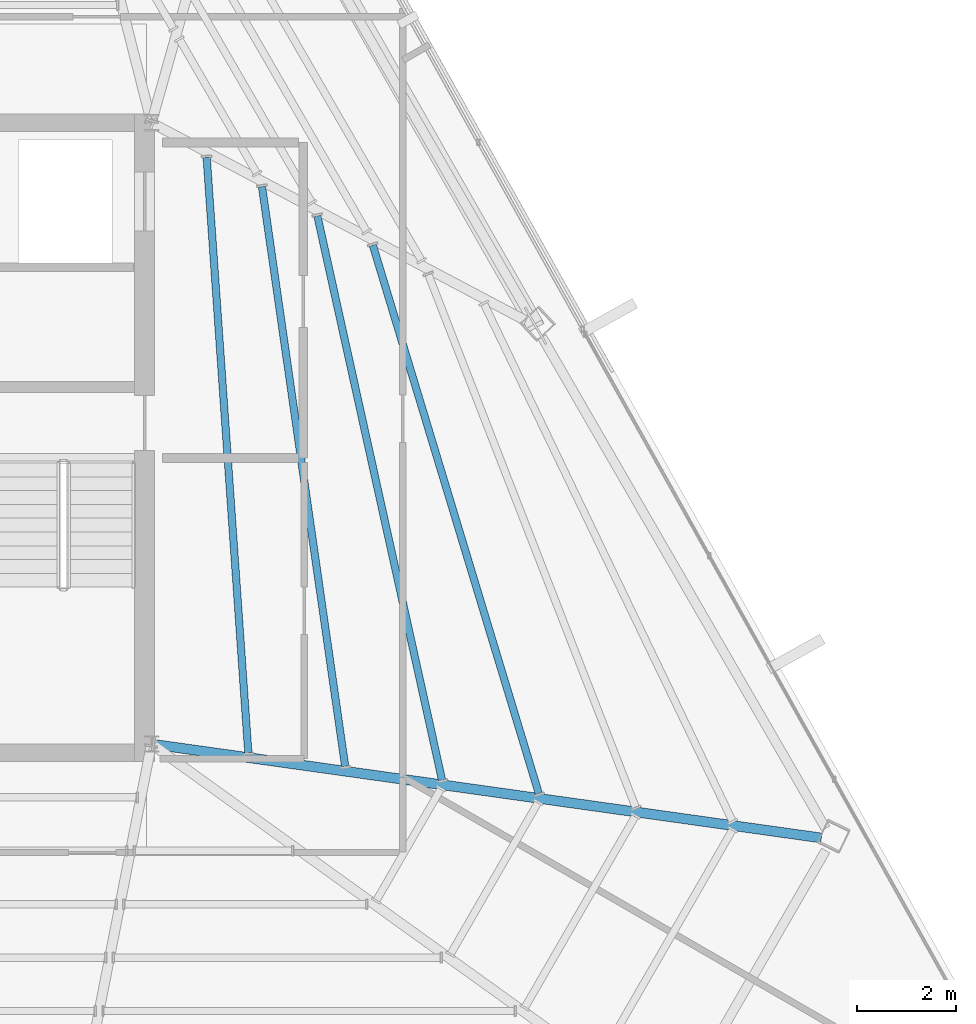
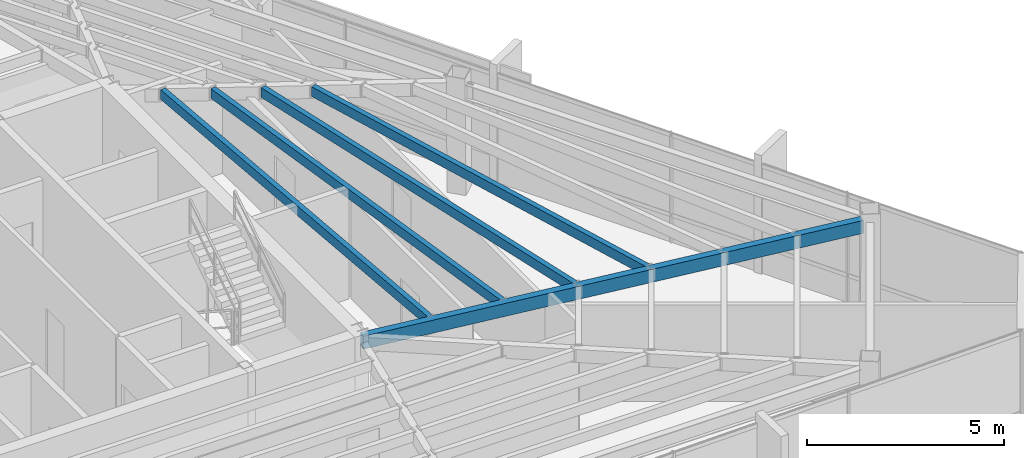
# One storey, part 24 of 48: 5 beams.
"""IFC4 building model written with IfcOpenShell, lengths in metres."""

import ifcopenshell
import ifcopenshell.guid

model = None  # the IFC model being written
_history = None  # IfcOwnerHistory: only IFC2X3 demands one
_inside = {}  # id of a spatial element -> (the spatial element, [elements in it])
_under = {}  # id of a project, library or spatial element -> (it, [spatial elements below it])
_declared = {}  # id of a project -> (the project, [libraries it declares])
_typed = {}  # id of a type object -> (the type object, [elements of that type])
_made_of = {}  # id of a material, layer set ... -> (it, [elements and type objects made of it])


def new_model(schema):
    """Start an empty IFC model of exactly this schema.

    Asked for "IFC4X3", IfcOpenShell would pick the latest addendum, in which some entities
    have other attributes; the version numbers below select the first issue.
    IFC2X3 requires an IfcOwnerHistory on every rooted entity: one is made here for all.
    """
    global model, _history
    if schema == "IFC4X3":
        model = ifcopenshell.file(schema_version=(4, 3, 0, 0))
    else:
        model = ifcopenshell.file(schema=schema)
    _inside.clear()
    _under.clear()
    _declared.clear()
    _typed.clear()
    _made_of.clear()
    _history = None
    if model.schema == "IFC2X3":
        org = make("IfcOrganization", Name="unknown")
        user = make(
            "IfcPersonAndOrganization",
            ThePerson=make("IfcPerson", FamilyName="unknown"),
            TheOrganization=org,
        )
        app = make(
            "IfcApplication",
            ApplicationDeveloper=org,
            Version="unknown",
            ApplicationFullName="unknown",
            ApplicationIdentifier="unknown",
        )
        _history = make(
            "IfcOwnerHistory",
            OwningUser=user,
            OwningApplication=app,
            ChangeAction="ADDED",
            CreationDate=0,
        )
    return model


def make(cls, **values):
    """One entity of the class cls with the attributes given. An attribute that is None is left unset."""
    return model.create_entity(
        cls, **{name: value for name, value in values.items() if value is not None}
    )


def rooted(cls, **values):
    """An entity with a GlobalId (a new one), such as an element, a storey or a relation."""
    return make(cls, GlobalId=ifcopenshell.guid.new(), OwnerHistory=_history, **values)


def si_unit(unit_type, name, prefix=None):
    """IfcSIUnit, for example si_unit("LENGTHUNIT", "METRE", prefix="MILLI")."""
    return make("IfcSIUnit", UnitType=unit_type, Prefix=prefix, Name=name)


def assignment(units):
    """IfcUnitAssignment: the units of a project."""
    return None if units is None else make("IfcUnitAssignment", Units=units)


def point(xyz):
    """IfcCartesianPoint."""
    return None if xyz is None else make("IfcCartesianPoint", Coordinates=xyz)


def direction(xyz):
    """IfcDirection."""
    return None if xyz is None else make("IfcDirection", DirectionRatios=xyz)


def frame(location, z_axis=None, x_axis=None):
    """IfcAxis2Placement3D, a coordinate frame: its origin and axes. An axis left out is left unset."""
    return make(
        "IfcAxis2Placement3D",
        Location=point(location),
        Axis=direction(z_axis),
        RefDirection=direction(x_axis),
    )


def frame_2d(location, x_axis=None):
    """IfcAxis2Placement2D, a coordinate frame in the plane: its origin and x axis."""
    return make(
        "IfcAxis2Placement2D", Location=point(location), RefDirection=direction(x_axis)
    )


def origin():
    """The frame at (0, 0, 0) with its axes left unset."""
    return frame((0.0, 0.0, 0.0))


def origin_2d():
    """The frame at (0, 0) in the plane with its x axis left unset."""
    return frame_2d((0.0, 0.0))


def place(relative_to, where):
    """IfcLocalPlacement: puts the frame where relative to a parent placement (None: the world)."""
    return make(
        "IfcLocalPlacement", PlacementRelTo=relative_to, RelativePlacement=where
    )


def context(
    kind, dimensions, precision=None, world=None, true_north=None, identifier=None
):
    """IfcGeometricRepresentationContext, for example the 3D "Model" context."""
    return make(
        "IfcGeometricRepresentationContext",
        ContextIdentifier=identifier,
        ContextType=kind,
        CoordinateSpaceDimension=dimensions,
        Precision=precision,
        WorldCoordinateSystem=world,
        TrueNorth=true_north,
    )


def subcontext(parent, identifier, kind, view, scale=None):
    """IfcGeometricRepresentationSubContext, for example "Body" below "Model"."""
    return make(
        "IfcGeometricRepresentationSubContext",
        ContextIdentifier=identifier,
        ContextType=kind,
        ParentContext=parent,
        TargetScale=scale,
        TargetView=view,
    )


def project(units=None, contexts=None):
    """IfcProject with its units and contexts."""
    return rooted(
        "IfcProject",
        Name="project",
        RepresentationContexts=contexts,
        UnitsInContext=assignment(units),
    )


def spatial(cls, under=None, at=None, **own):
    """A site, building, storey or space (cls), placed at a placement, below another one or the project."""
    s = rooted(cls, ObjectPlacement=at, **own)
    if under is not None:
        _under.setdefault(under.id(), (under, []))[1].append(s)
    return s


def profile(cls, at=None, kind="AREA", **sizes):
    """A parametric profile (cls). Its sizes go by their IFC names, for example OverallWidth=200.0."""
    return make(cls, ProfileType=kind, Position=at, **sizes)


def hollow_rectangle(**sizes):
    """IfcRectangleHollowProfileDef."""
    return profile("IfcRectangleHollowProfileDef", **sizes)


def extrude(swept, where, along, depth):
    """IfcExtrudedAreaSolid: the profile swept, set in the frame where, extruded along a direction by depth."""
    return make(
        "IfcExtrudedAreaSolid",
        SweptArea=swept,
        Position=where,
        ExtrudedDirection=direction(along),
        Depth=depth,
    )


def shape(context_of_items, identifier, shape_type, items):
    """IfcShapeRepresentation: the items that make up one representation, for example the "Body"."""
    return make(
        "IfcShapeRepresentation",
        ContextOfItems=context_of_items,
        RepresentationIdentifier=identifier,
        RepresentationType=shape_type,
        Items=items,
    )


def source(mapping_origin, context_of_items, identifier, shape_type, items):
    """IfcRepresentationMap: a shape defined once, which mapped items show again and again."""
    return make(
        "IfcRepresentationMap",
        MappingOrigin=mapping_origin,
        MappedRepresentation=shape(context_of_items, identifier, shape_type, items),
    )


def transform(
    local_origin,
    x_axis=None,
    y_axis=None,
    z_axis=None,
    scale=None,
    scale2=None,
    scale3=None,
    uniform=True,
):
    """IfcCartesianTransformationOperator3D, or its non-uniform kind. x_axis, y_axis, z_axis: its Axis1, 2, 3."""
    if uniform:
        return make(
            "IfcCartesianTransformationOperator3D",
            Axis1=direction(x_axis),
            Axis2=direction(y_axis),
            LocalOrigin=point(local_origin),
            Scale=scale,
            Axis3=direction(z_axis),
        )
    return make(
        "IfcCartesianTransformationOperator3DnonUniform",
        Axis1=direction(x_axis),
        Axis2=direction(y_axis),
        LocalOrigin=point(local_origin),
        Scale=scale,
        Axis3=direction(z_axis),
        Scale2=scale2,
        Scale3=scale3,
    )


def mapped(mapping_source, mapping_target):
    """IfcMappedItem: shows the shape of a source again, moved by a transform."""
    return make(
        "IfcMappedItem", MappingSource=mapping_source, MappingTarget=mapping_target
    )


def material(Name=None, Category=None):
    """IfcMaterial."""
    return make("IfcMaterial", Name=Name, Category=Category)


def material_profile(
    of_material, cross_section, Name=None, Category=None, Priority=None
):
    """IfcMaterialProfile: a cross section and its material."""
    return make(
        "IfcMaterialProfile",
        Name=Name,
        Material=of_material,
        Profile=cross_section,
        Priority=Priority,
        Category=Category,
    )


def profile_set(profiles, Name=None, composite=None):
    """IfcMaterialProfileSet."""
    return make(
        "IfcMaterialProfileSet",
        Name=Name,
        MaterialProfiles=profiles,
        CompositeProfile=composite,
    )


def made_of(thing, what):
    """Note that an element or type object is made of a material, layer set ...; save() writes the relation."""
    if what is not None:
        _made_of.setdefault(what.id(), (what, []))[1].append(thing)
    return thing


def type_object(cls, material=None, **own):
    """A type object (cls), such as IfcWallType, which elements share."""
    return made_of(rooted(cls, **own), material)


def type_shapes(of_type, sources):
    """Give a type object the sources (RepresentationMaps) that its elements show as mapped items."""
    of_type.RepresentationMaps = sources


def element(
    cls,
    number,
    at=None,
    inside=None,
    cuts=None,
    type_object=None,
    material=None,
    context=None,
    identifier="Body",
    shape_type=None,
    held_by="IfcProductDefinitionShape",
    body=None,
    shapes=None,
    **own,
):
    """One element of the class cls, such as IfcWall. Its Tag is "e" and its number.

    at: its placement. inside: the storey or other place that contains it. cuts: it is an
    opening in that element (IfcRelVoidsElement). A single representation is given by context,
    identifier, shape_type and body (its items); several are given by shapes. held_by: the class
    of the entity that holds the representations. save() writes the other relations.
    """
    e = rooted(cls, Tag="e%d" % number, ObjectPlacement=at, **own)
    if body is not None:
        shapes = [shape(context, identifier, shape_type, body)]
    if shapes is not None:
        e.Representation = make(held_by, Representations=shapes)
    if inside is not None:
        _inside.setdefault(inside.id(), (inside, []))[1].append(e)
    if cuts is not None:
        rooted(
            "IfcRelVoidsElement", RelatingBuildingElement=cuts, RelatedOpeningElement=e
        )
    if type_object is not None:
        _typed.setdefault(type_object.id(), (type_object, []))[1].append(e)
    return made_of(e, material)


def aggregate(whole, parts):
    """IfcRelAggregates: a whole, such as a stair, and the parts it consists of."""
    return rooted("IfcRelAggregates", RelatingObject=whole, RelatedObjects=parts)


def save(model, path):
    """Write the relations noted so far, then the file.

    IfcRelAggregates (storeys below a building ...), IfcRelContainedInSpatialStructure (elements
    in a storey), IfcRelDefinesByType, IfcRelAssociatesMaterial and IfcRelDeclares: one each for
    every whole, place, type object, material and project.
    """
    for whole, parts in _under.values():
        aggregate(whole, parts)
    for where, things in _inside.values():
        rooted(
            "IfcRelContainedInSpatialStructure",
            RelatedElements=things,
            RelatingStructure=where,
        )
    for kind, things in _typed.values():
        rooted("IfcRelDefinesByType", RelatedObjects=things, RelatingType=kind)
    for what, things in _made_of.values():
        rooted("IfcRelAssociatesMaterial", RelatedObjects=things, RelatingMaterial=what)
    for by, libraries in _declared.values():
        rooted("IfcRelDeclares", RelatingContext=by, RelatedDefinitions=libraries)
    model.write(path)


model = new_model("IFC4")

# Units and contexts
model_context = context("Model", 3, precision=1e-05, world=origin(), true_north=direction((0.0, 1.0)))
body_context = subcontext(model_context, "Body", "Model", "MODEL_VIEW")
ifc_project = project(units=[si_unit("LENGTHUNIT", "METRE"), si_unit("AREAUNIT", "SQUARE_METRE"), si_unit("VOLUMEUNIT", "CUBIC_METRE"), si_unit("PLANEANGLEUNIT", "RADIAN"), si_unit("MASSUNIT", "GRAM", prefix="KILO")], contexts=[model_context])

# Site, building, storey
site_placement = place(None, origin())
site = spatial("IfcSite", under=ifc_project, at=site_placement, CompositionType="ELEMENT")
building_placement = place(site_placement, origin())
building = spatial("IfcBuilding", under=site, at=building_placement, Name="Caelisora Broadcast Tower", CompositionType="ELEMENT")
storey_placement = place(building_placement, frame((0.0, 0.0, 277.300048828125)))
storey = spatial("IfcBuildingStorey", under=building, at=storey_placement, Name="L73", CompositionType="ELEMENT", Elevation=277.300048828125)

# Beams
ifc_material = material(Name="Steel Grade 350 (AS/NZS 1163 C350L0)", Category="steel")
ifc_material_profile_1 = material_profile(ifc_material, hollow_rectangle(XDim=0.199951171875, YDim=0.39990234375, WallThickness=0.012451171875, at=origin_2d()), Name="Steel Grade 350 (AS/NZS 1163 C350L0)")
ifc_profile_set_1 = profile_set([ifc_material_profile_1], Name="Steel Grade 350 (AS/NZS 1163 C350L0)")
beam_type_1 = type_object("IfcBeamType", Name="PG07", PredefinedType="BEAM", material=ifc_profile_set_1)
shared_shape_1 = source(origin(), body_context, "Body", "SweptSolid", [
    extrude(hollow_rectangle(XDim=0.199951171875, YDim=0.39990234375, WallThickness=0.012451171875, at=origin_2d()), origin(), (0.0, 0.0, 1.0), 13.6591796875),
])
type_shapes(beam_type_1, [shared_shape_1])
beam_1_placement = place(storey_placement, frame((45.559326171875, 17.3916015625, 3.199951171875), z_axis=(0.99030696399, -0.138896065718, 0.0), x_axis=(0.138896065718, 0.99030696399, 0.0)))
element("IfcBeam", 1, at=beam_1_placement, inside=storey, type_object=beam_type_1, Name="L73 beam PG07", PredefinedType="BEAM", context=body_context, shape_type="MappedRepresentation", body=[
    mapped(shared_shape_1, transform((0.0, 0.0, 0.0), scale=1.0)),
])
ifc_material_profile_2 = material_profile(ifc_material, hollow_rectangle(XDim=0.14990234375, YDim=0.300048828125, WallThickness=0.010009765625, at=origin_2d()), Name="Steel Grade 350 (AS/NZS 1163 C350L0)")
ifc_profile_set_2 = profile_set([ifc_material_profile_2], Name="Steel Grade 350 (AS/NZS 1163 C350L0)")
beam_type_2 = type_object("IfcBeamType", Name="SB05", PredefinedType="JOIST", material=ifc_profile_set_2)
shared_shape_2 = source(origin(), body_context, "Body", "SweptSolid", [
    extrude(hollow_rectangle(XDim=0.14990234375, YDim=0.300048828125, WallThickness=0.010009765625, at=origin_2d()), origin(), (0.0, 0.0, 1.0), 12.1044921875),
])
beam_2_placement = place(storey_placement, frame((47.465087890625, 17.222412109375, 3.25), z_axis=(-0.069766304854, 0.997563362753, 0.0), x_axis=(-0.997563362753, -0.069766304854, 0.0)))
element("IfcBeam", 2, at=beam_2_placement, inside=storey, type_object=beam_type_2, Name="L73 beam SB05", PredefinedType="JOIST", context=body_context, shape_type="MappedRepresentation", body=[
    mapped(shared_shape_2, transform((0.0, 0.0, 0.0), scale=1.0)),
])
shared_shape_3 = source(origin(), body_context, "Body", "SweptSolid", [
    extrude(hollow_rectangle(XDim=0.14990234375, YDim=0.300048828125, WallThickness=0.010009765625, at=origin_2d()), origin(), (0.0, 0.0, 1.0), 11.877197265625),
])
beam_3_placement = place(storey_placement, frame((49.4296875, 16.947021484375, 3.25), z_axis=(-0.142037165846, 0.989861325398, 0.0), x_axis=(-0.989861325398, -0.142037165846, 0.0)))
element("IfcBeam", 3, at=beam_3_placement, inside=storey, type_object=beam_type_2, Name="L73 beam SB05", PredefinedType="JOIST", context=body_context, shape_type="MappedRepresentation", body=[
    mapped(shared_shape_3, transform((0.0, 0.0, 0.0), scale=1.0)),
])
shared_shape_4 = source(origin(), body_context, "Body", "SweptSolid", [
    extrude(hollow_rectangle(XDim=0.14990234375, YDim=0.300048828125, WallThickness=0.010009765625, at=origin_2d()), origin(), (0.0, 0.0, 1.0), 11.71435546875),
])
beam_4_placement = place(storey_placement, frame((51.3935546875, 16.67138671875, 3.25), z_axis=(-0.215767373389, 0.976444796484, 0.0), x_axis=(-0.976444796484, -0.215767373389, 0.0)))
element("IfcBeam", 4, at=beam_4_placement, inside=storey, type_object=beam_type_2, Name="L73 beam SB05", PredefinedType="JOIST", context=body_context, shape_type="MappedRepresentation", body=[
    mapped(shared_shape_4, transform((0.0, 0.0, 0.0), scale=1.0)),
])
shared_shape_5 = source(origin(), body_context, "Body", "SweptSolid", [
    extrude(hollow_rectangle(XDim=0.14990234375, YDim=0.300048828125, WallThickness=0.010009765625, at=origin_2d()), origin(), (0.0, 0.0, 1.0), 11.616943359375),
])
type_shapes(beam_type_2, [shared_shape_2, shared_shape_3, shared_shape_4, shared_shape_5])
beam_5_placement = place(storey_placement, frame((53.35693359375, 16.396240234375, 3.25), z_axis=(-0.289745490552, 0.957103730379, 0.0), x_axis=(-0.957103730379, -0.289745490552, 0.0)))
element("IfcBeam", 5, at=beam_5_placement, inside=storey, type_object=beam_type_2, Name="L73 beam SB05", PredefinedType="JOIST", context=body_context, shape_type="MappedRepresentation", body=[
    mapped(shared_shape_5, transform((0.0, 0.0, 0.0), scale=1.0)),
])

save(model, "model.ifc")
